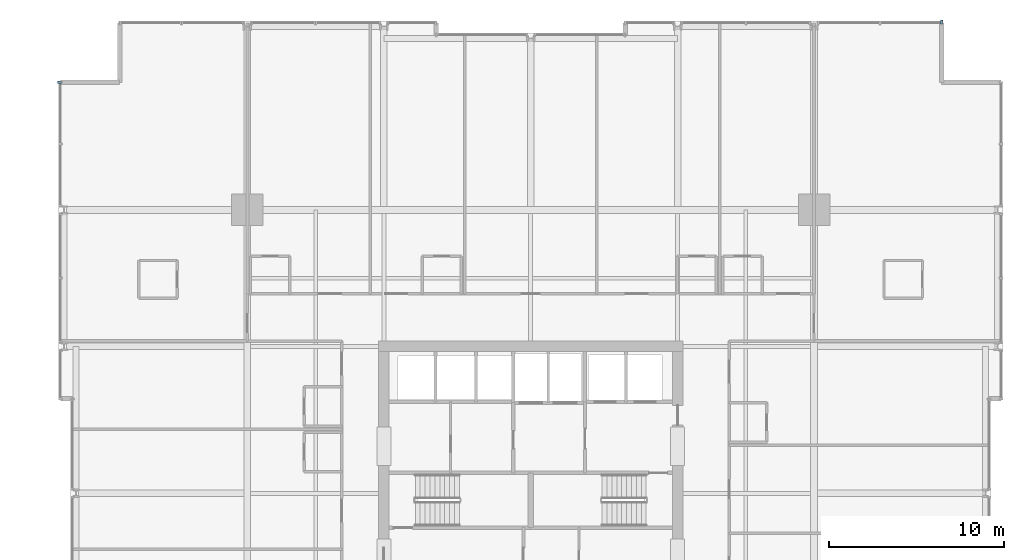
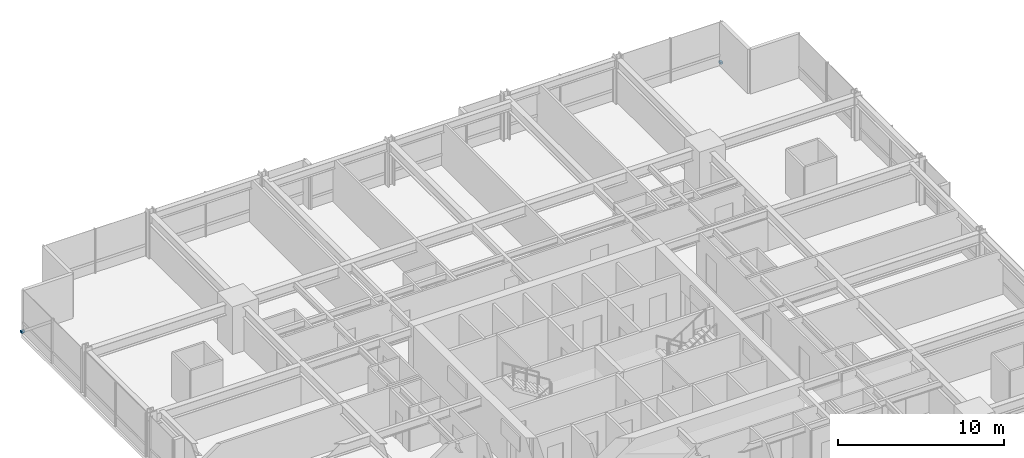
# One storey, part 35 of 38: 2 discrete accessories.
"""IFC4 building model written with IfcOpenShell, lengths in metres."""

import ifcopenshell
import ifcopenshell.guid

model = None  # the IFC model being written
_history = None  # IfcOwnerHistory: only IFC2X3 demands one
_inside = {}  # id of a spatial element -> (the spatial element, [elements in it])
_under = {}  # id of a project, library or spatial element -> (it, [spatial elements below it])
_declared = {}  # id of a project -> (the project, [libraries it declares])
_typed = {}  # id of a type object -> (the type object, [elements of that type])
_made_of = {}  # id of a material, layer set ... -> (it, [elements and type objects made of it])


def new_model(schema):
    """Start an empty IFC model of exactly this schema.

    Asked for "IFC4X3", IfcOpenShell would pick the latest addendum, in which some entities
    have other attributes; the version numbers below select the first issue.
    IFC2X3 requires an IfcOwnerHistory on every rooted entity: one is made here for all.
    """
    global model, _history
    if schema == "IFC4X3":
        model = ifcopenshell.file(schema_version=(4, 3, 0, 0))
    else:
        model = ifcopenshell.file(schema=schema)
    _inside.clear()
    _under.clear()
    _declared.clear()
    _typed.clear()
    _made_of.clear()
    _history = None
    if model.schema == "IFC2X3":
        org = make("IfcOrganization", Name="unknown")
        user = make(
            "IfcPersonAndOrganization",
            ThePerson=make("IfcPerson", FamilyName="unknown"),
            TheOrganization=org,
        )
        app = make(
            "IfcApplication",
            ApplicationDeveloper=org,
            Version="unknown",
            ApplicationFullName="unknown",
            ApplicationIdentifier="unknown",
        )
        _history = make(
            "IfcOwnerHistory",
            OwningUser=user,
            OwningApplication=app,
            ChangeAction="ADDED",
            CreationDate=0,
        )
    return model


def make(cls, **values):
    """One entity of the class cls with the attributes given. An attribute that is None is left unset."""
    return model.create_entity(
        cls, **{name: value for name, value in values.items() if value is not None}
    )


def rooted(cls, **values):
    """An entity with a GlobalId (a new one), such as an element, a storey or a relation."""
    return make(cls, GlobalId=ifcopenshell.guid.new(), OwnerHistory=_history, **values)


def si_unit(unit_type, name, prefix=None):
    """IfcSIUnit, for example si_unit("LENGTHUNIT", "METRE", prefix="MILLI")."""
    return make("IfcSIUnit", UnitType=unit_type, Prefix=prefix, Name=name)


def assignment(units):
    """IfcUnitAssignment: the units of a project."""
    return None if units is None else make("IfcUnitAssignment", Units=units)


def point(xyz):
    """IfcCartesianPoint."""
    return None if xyz is None else make("IfcCartesianPoint", Coordinates=xyz)


def direction(xyz):
    """IfcDirection."""
    return None if xyz is None else make("IfcDirection", DirectionRatios=xyz)


def frame(location, z_axis=None, x_axis=None):
    """IfcAxis2Placement3D, a coordinate frame: its origin and axes. An axis left out is left unset."""
    return make(
        "IfcAxis2Placement3D",
        Location=point(location),
        Axis=direction(z_axis),
        RefDirection=direction(x_axis),
    )


def frame_2d(location, x_axis=None):
    """IfcAxis2Placement2D, a coordinate frame in the plane: its origin and x axis."""
    return make(
        "IfcAxis2Placement2D", Location=point(location), RefDirection=direction(x_axis)
    )


def origin():
    """The frame at (0, 0, 0) with its axes left unset."""
    return frame((0.0, 0.0, 0.0))


def origin_2d():
    """The frame at (0, 0) in the plane with its x axis left unset."""
    return frame_2d((0.0, 0.0))


def place(relative_to, where):
    """IfcLocalPlacement: puts the frame where relative to a parent placement (None: the world)."""
    return make(
        "IfcLocalPlacement", PlacementRelTo=relative_to, RelativePlacement=where
    )


def context(
    kind, dimensions, precision=None, world=None, true_north=None, identifier=None
):
    """IfcGeometricRepresentationContext, for example the 3D "Model" context."""
    return make(
        "IfcGeometricRepresentationContext",
        ContextIdentifier=identifier,
        ContextType=kind,
        CoordinateSpaceDimension=dimensions,
        Precision=precision,
        WorldCoordinateSystem=world,
        TrueNorth=true_north,
    )


def subcontext(parent, identifier, kind, view, scale=None):
    """IfcGeometricRepresentationSubContext, for example "Body" below "Model"."""
    return make(
        "IfcGeometricRepresentationSubContext",
        ContextIdentifier=identifier,
        ContextType=kind,
        ParentContext=parent,
        TargetScale=scale,
        TargetView=view,
    )


def project(units=None, contexts=None):
    """IfcProject with its units and contexts."""
    return rooted(
        "IfcProject",
        Name="project",
        RepresentationContexts=contexts,
        UnitsInContext=assignment(units),
    )


def spatial(cls, under=None, at=None, **own):
    """A site, building, storey or space (cls), placed at a placement, below another one or the project."""
    s = rooted(cls, ObjectPlacement=at, **own)
    if under is not None:
        _under.setdefault(under.id(), (under, []))[1].append(s)
    return s


def profile(cls, at=None, kind="AREA", **sizes):
    """A parametric profile (cls). Its sizes go by their IFC names, for example OverallWidth=200.0."""
    return make(cls, ProfileType=kind, Position=at, **sizes)


def rectangle(**sizes):
    """IfcRectangleProfileDef."""
    return profile("IfcRectangleProfileDef", **sizes)


def extrude(swept, where, along, depth):
    """IfcExtrudedAreaSolid: the profile swept, set in the frame where, extruded along a direction by depth."""
    return make(
        "IfcExtrudedAreaSolid",
        SweptArea=swept,
        Position=where,
        ExtrudedDirection=direction(along),
        Depth=depth,
    )


def shape(context_of_items, identifier, shape_type, items):
    """IfcShapeRepresentation: the items that make up one representation, for example the "Body"."""
    return make(
        "IfcShapeRepresentation",
        ContextOfItems=context_of_items,
        RepresentationIdentifier=identifier,
        RepresentationType=shape_type,
        Items=items,
    )


def material(Name=None, Category=None):
    """IfcMaterial."""
    return make("IfcMaterial", Name=Name, Category=Category)


def made_of(thing, what):
    """Note that an element or type object is made of a material, layer set ...; save() writes the relation."""
    if what is not None:
        _made_of.setdefault(what.id(), (what, []))[1].append(thing)
    return thing


def type_object(cls, material=None, **own):
    """A type object (cls), such as IfcWallType, which elements share."""
    return made_of(rooted(cls, **own), material)


def element(
    cls,
    number,
    at=None,
    inside=None,
    cuts=None,
    type_object=None,
    material=None,
    context=None,
    identifier="Body",
    shape_type=None,
    held_by="IfcProductDefinitionShape",
    body=None,
    shapes=None,
    **own,
):
    """One element of the class cls, such as IfcWall. Its Tag is "e" and its number.

    at: its placement. inside: the storey or other place that contains it. cuts: it is an
    opening in that element (IfcRelVoidsElement). A single representation is given by context,
    identifier, shape_type and body (its items); several are given by shapes. held_by: the class
    of the entity that holds the representations. save() writes the other relations.
    """
    e = rooted(cls, Tag="e%d" % number, ObjectPlacement=at, **own)
    if body is not None:
        shapes = [shape(context, identifier, shape_type, body)]
    if shapes is not None:
        e.Representation = make(held_by, Representations=shapes)
    if inside is not None:
        _inside.setdefault(inside.id(), (inside, []))[1].append(e)
    if cuts is not None:
        rooted(
            "IfcRelVoidsElement", RelatingBuildingElement=cuts, RelatedOpeningElement=e
        )
    if type_object is not None:
        _typed.setdefault(type_object.id(), (type_object, []))[1].append(e)
    return made_of(e, material)


def aggregate(whole, parts):
    """IfcRelAggregates: a whole, such as a stair, and the parts it consists of."""
    return rooted("IfcRelAggregates", RelatingObject=whole, RelatedObjects=parts)


def save(model, path):
    """Write the relations noted so far, then the file.

    IfcRelAggregates (storeys below a building ...), IfcRelContainedInSpatialStructure (elements
    in a storey), IfcRelDefinesByType, IfcRelAssociatesMaterial and IfcRelDeclares: one each for
    every whole, place, type object, material and project.
    """
    for whole, parts in _under.values():
        aggregate(whole, parts)
    for where, things in _inside.values():
        rooted(
            "IfcRelContainedInSpatialStructure",
            RelatedElements=things,
            RelatingStructure=where,
        )
    for kind, things in _typed.values():
        rooted("IfcRelDefinesByType", RelatedObjects=things, RelatingType=kind)
    for what, things in _made_of.values():
        rooted("IfcRelAssociatesMaterial", RelatedObjects=things, RelatingMaterial=what)
    for by, libraries in _declared.values():
        rooted("IfcRelDeclares", RelatingContext=by, RelatedDefinitions=libraries)
    model.write(path)


model = new_model("IFC4")

# Units and contexts
model_context = context("Model", 3, precision=1e-05, world=origin(), true_north=direction((0.0, 1.0)))
body_context = subcontext(model_context, "Body", "Model", "MODEL_VIEW")
ifc_project = project(units=[si_unit("LENGTHUNIT", "METRE"), si_unit("AREAUNIT", "SQUARE_METRE"), si_unit("VOLUMEUNIT", "CUBIC_METRE"), si_unit("PLANEANGLEUNIT", "RADIAN"), si_unit("MASSUNIT", "GRAM", prefix="KILO")], contexts=[model_context])

# Site, building, storey
site_placement = place(None, origin())
site = spatial("IfcSite", under=ifc_project, at=site_placement, CompositionType="ELEMENT")
building_placement = place(site_placement, origin())
building = spatial("IfcBuilding", under=site, at=building_placement, Name="Drelvath Grand Hotel", CompositionType="ELEMENT")
storey_placement = place(building_placement, frame((0.0, 0.0, 61.199951171875)))
storey = spatial("IfcBuildingStorey", under=building, at=storey_placement, Name="L14", CompositionType="ELEMENT", Elevation=61.199951171875)

# Discrete accessories
ifc_material = material(Name="Stainless Steel Grade 316", Category="steel")
discrete_accessory_type = type_object("IfcDiscreteAccessoryType", Name="Curtain Wall Fin Mounting Bracket Cleat", PredefinedType="BRACKET", material=ifc_material)
for number, where, z_axis, x_axis, name in (
    (1, (-26.93994140625, 50.5, 0.10009765625), (0.0, 0.0, 1.0), (0.0, 1.0, 0.0), "L14 Fin Mounting Bracket CW02-L14-WN3-1"),
    (2, (23.5, 53.93994140625, 0.10009765625), (0.0, 0.0, 1.0), (1.0, 0.0, 0.0), "L14 Fin Mounting Bracket CW02-L14-NE3-1"),
):
    element("IfcDiscreteAccessory", number, at=place(storey_placement, frame(where, z_axis=z_axis, x_axis=x_axis)), inside=storey, type_object=discrete_accessory_type, Name=name, PredefinedType="BRACKET", context=body_context, shape_type="SweptSolid", body=[
        extrude(rectangle(XDim=0.159912109375, YDim=0.239990234375, at=origin_2d()), origin(), (0.0, 0.0, 1.0), 0.159912109375),
    ])

save(model, "model.ifc")
